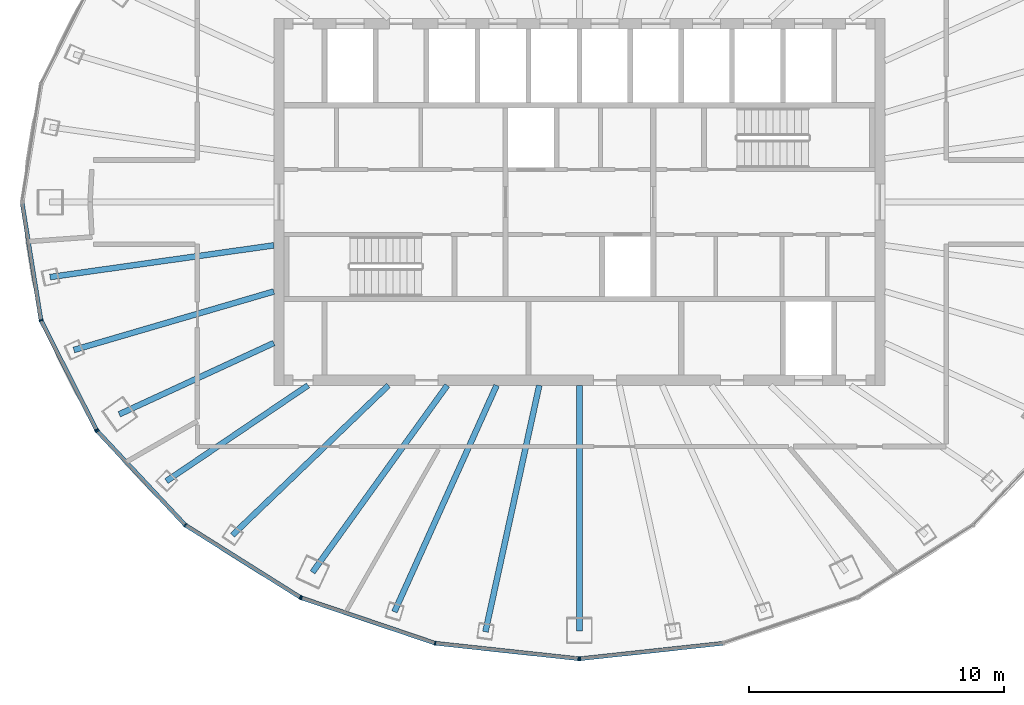
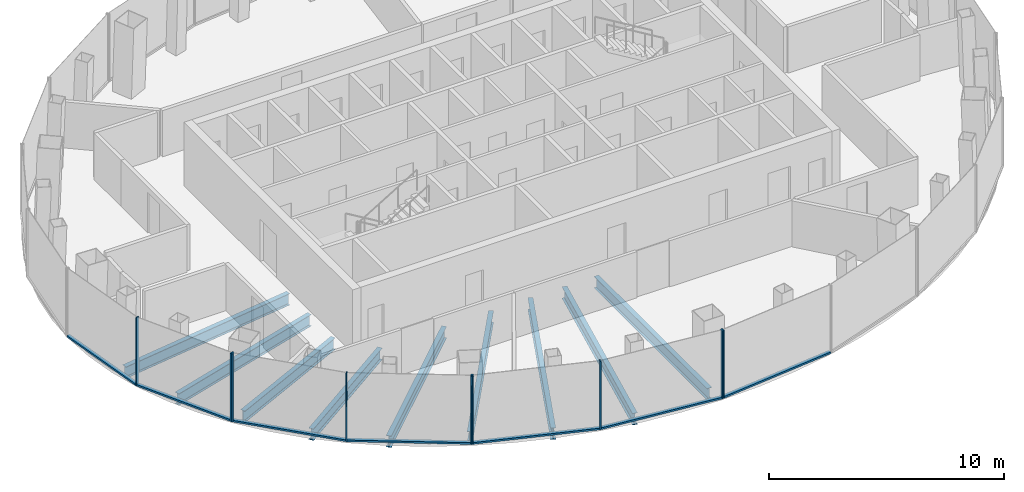
# One storey, part 2 of 11: 16 members, 9 beams, 4 elements without a shape of their own.
"""IFC4 building model written with IfcOpenShell, lengths in metres."""

from ifc_helpers import new_model, si_unit, direction, frame, origin, origin_2d, place, context, subcontext, project, spatial, rectangle, i_section, extrude, material, layer, layer_set, material_profile, profile_set, type_object, element, aggregate, save


model = new_model("IFC4")

# Units and contexts
model_context = context("Model", 3, precision=1e-05, world=origin(), true_north=direction((0.0, 1.0)))
body_context = subcontext(model_context, "Body", "Model", "MODEL_VIEW")
ifc_project = project(units=[si_unit("LENGTHUNIT", "METRE"), si_unit("AREAUNIT", "SQUARE_METRE"), si_unit("VOLUMEUNIT", "CUBIC_METRE"), si_unit("PLANEANGLEUNIT", "RADIAN"), si_unit("MASSUNIT", "GRAM", prefix="KILO")], contexts=[model_context])

# Site, building, storey
site_placement = place(None, origin())
site = spatial("IfcSite", under=ifc_project, at=site_placement, CompositionType="ELEMENT")
building_placement = place(site_placement, origin())
building = spatial("IfcBuilding", under=site, at=building_placement, Name="Siaravel Broadcast Tower", CompositionType="ELEMENT")
storey_placement = place(building_placement, frame((0.0, 0.0, 220.800048828125)))
storey = spatial("IfcBuildingStorey", under=building, at=storey_placement, Name="L53", CompositionType="ELEMENT", Elevation=220.800048828125)

# Beams
ifc_material_1 = material(Name="Steel S355", Category="steel")
ifc_material_profile_1 = material_profile(ifc_material_1, i_section(OverallWidth=0.2275390625, OverallDepth=0.6025390625, WebThickness=0.010498046875, FlangeThickness=0.014892578125, FilletRadius=0.0126953125, at=origin_2d()))
ifc_profile_set_1 = profile_set([ifc_material_profile_1], Name="Steel S355")
beam_type = type_object("IfcBeamType", Name="BM-UB 610x229x101", PredefinedType="BEAM", material=ifc_profile_set_1)
beam_1_placement = place(storey_placement, frame((-20.785400390625, -2.94677734375, -0.451416015625), z_axis=(0.99009807, 0.140377389, 0.0), x_axis=(-0.140377389, 0.99009807, 0.0)))
element("IfcBeam", 1, at=beam_1_placement, inside=storey, type_object=beam_type, Name="Radial beam RB20", PredefinedType="BEAM", context=body_context, shape_type="SweptSolid", body=[
    extrude(i_section(OverallWidth=0.2275390625, OverallDepth=0.6025390625, WebThickness=0.010498046875, FlangeThickness=0.014892578125, FilletRadius=0.0126953125, at=origin_2d()), origin(), (0.0, 0.0, 1.0), 8.873291015625),
])
beam_2_placement = place(storey_placement, frame((-19.848388671875, -5.810546875, -0.451416015625), z_axis=(0.959720327, 0.280957103, 0.0), x_axis=(-0.280957103, 0.959720327, 0.0)))
element("IfcBeam", 2, at=beam_2_placement, inside=storey, type_object=beam_type, Name="Radial beam RB21", PredefinedType="BEAM", context=body_context, shape_type="SweptSolid", body=[
    extrude(i_section(OverallWidth=0.2275390625, OverallDepth=0.6025390625, WebThickness=0.010498046875, FlangeThickness=0.014892578125, FilletRadius=0.0126953125, at=origin_2d()), origin(), (0.0, 0.0, 1.0), 8.177734375),
])
beam_3_placement = place(storey_placement, frame((-18.06689453125, -8.335693359375, -0.451416015625), z_axis=(0.908018196, 0.418930729, 0.0), x_axis=(-0.418930729, 0.908018196, 0.0)))
element("IfcBeam", 3, at=beam_3_placement, inside=storey, type_object=beam_type, Name="Radial beam RB22", PredefinedType="BEAM", context=body_context, shape_type="SweptSolid", body=[
    extrude(i_section(OverallWidth=0.2275390625, OverallDepth=0.6025390625, WebThickness=0.010498046875, FlangeThickness=0.014892578125, FilletRadius=0.0126953125, at=origin_2d()), origin(), (0.0, 0.0, 1.0), 6.681396484375),
])
beam_4_placement = place(storey_placement, frame((-16.2177734375, -10.958251953125, -0.451416015625), z_axis=(0.828587601, 0.559859436, 0.0), x_axis=(-0.559859436, 0.828587601, 0.0)))
element("IfcBeam", 4, at=beam_4_placement, inside=storey, type_object=beam_type, Name="Radial beam RB23", PredefinedType="BEAM", context=body_context, shape_type="SweptSolid", body=[
    extrude(i_section(OverallWidth=0.2275390625, OverallDepth=0.6025390625, WebThickness=0.010498046875, FlangeThickness=0.014892578125, FilletRadius=0.0126953125, at=origin_2d()), origin(), (0.0, 0.0, 1.0), 6.712890625),
])
beam_5_placement = place(storey_placement, frame((-13.6240234375, -13.08251953125, -0.451416015625), z_axis=(0.721291383, 0.69263175, 0.0), x_axis=(-0.69263175, 0.721291383, 0.0)))
element("IfcBeam", 5, at=beam_5_placement, inside=storey, type_object=beam_type, Name="Radial beam RB24", PredefinedType="BEAM", context=body_context, shape_type="SweptSolid", body=[
    extrude(i_section(OverallWidth=0.2275390625, OverallDepth=0.6025390625, WebThickness=0.010498046875, FlangeThickness=0.014892578125, FilletRadius=0.0126953125, at=origin_2d()), origin(), (0.0, 0.0, 1.0), 8.4931640625),
])
beam_6_placement = place(storey_placement, frame((-10.479736328125, -14.541015625, -0.451416015625), z_axis=(0.584665734, 0.811274294, 0.0), x_axis=(-0.811274294, 0.584665734, 0.0)))
element("IfcBeam", 6, at=beam_6_placement, inside=storey, type_object=beam_type, Name="Radial beam RB25", PredefinedType="BEAM", context=body_context, shape_type="SweptSolid", body=[
    extrude(i_section(OverallWidth=0.2275390625, OverallDepth=0.6025390625, WebThickness=0.010498046875, FlangeThickness=0.014892578125, FilletRadius=0.0126953125, at=origin_2d()), origin(), (0.0, 0.0, 1.0), 9.048828125),
])
beam_7_placement = place(storey_placement, frame((-7.26171875, -16.09033203125, -0.451416015625), z_axis=(0.411347958, 0.911478391, 0.0), x_axis=(-0.911478391, 0.411347958, 0.0)))
element("IfcBeam", 7, at=beam_7_placement, inside=storey, type_object=beam_type, Name="Radial beam RB26", PredefinedType="BEAM", context=body_context, shape_type="SweptSolid", body=[
    extrude(i_section(OverallWidth=0.2275390625, OverallDepth=0.6025390625, WebThickness=0.010498046875, FlangeThickness=0.014892578125, FilletRadius=0.0126953125, at=origin_2d()), origin(), (0.0, 0.0, 1.0), 9.75390625),
])
beam_8_placement = place(storey_placement, frame((-3.688720703125, -16.87451171875, -0.451416015625), z_axis=(0.213546154, 0.976932976, 0.0), x_axis=(-0.976932976, 0.213546154, 0.0)))
element("IfcBeam", 8, at=beam_8_placement, inside=storey, type_object=beam_type, Name="Radial beam RB27", PredefinedType="BEAM", context=body_context, shape_type="SweptSolid", body=[
    extrude(i_section(OverallWidth=0.2275390625, OverallDepth=0.6025390625, WebThickness=0.010498046875, FlangeThickness=0.014892578125, FilletRadius=0.0126953125, at=origin_2d()), origin(), (0.0, 0.0, 1.0), 9.903076171875),
])
beam_9_placement = place(storey_placement, frame((0.0, -16.838623046875, -0.451416015625), z_axis=(0.0, 1.0, 0.0), x_axis=(-1.0, 0.0, 0.0)))
element("IfcBeam", 9, at=beam_9_placement, inside=storey, type_object=beam_type, Name="Radial beam RB28", PredefinedType="BEAM", context=body_context, shape_type="SweptSolid", body=[
    extrude(i_section(OverallWidth=0.2275390625, OverallDepth=0.6025390625, WebThickness=0.010498046875, FlangeThickness=0.014892578125, FilletRadius=0.0126953125, at=origin_2d()), origin(), (0.0, 0.0, 1.0), 9.638671875),
])

# Curtain wall, members
ifc_material_2 = material(Name="Aluminium 6063-T6", Category="aluminium")
ifc_layer = layer(ifc_material_2, 0.159912109375)
ifc_layer_set = layer_set([ifc_layer], Name="Aluminium 6063-T6")
curtain_wall_type = type_object("IfcCurtainWallType", Name="Unitised curtain wall, zone 4", PredefinedType="NOTDEFINED", material=ifc_layer_set)
curtain_wall_1_placement = place(storey_placement, origin())
curtain_wall_1 = element("IfcCurtainWall", 10, at=curtain_wall_1_placement, inside=storey, type_object=curtain_wall_type, Name="L53 Unitised curtain wall, zone 4 07", PredefinedType="NOTDEFINED")
ifc_material_profile_2 = material_profile(ifc_material_2, rectangle(XDim=0.159912109375, YDim=0.054931640625, at=origin_2d()))
ifc_profile_set_2 = profile_set([ifc_material_profile_2], Name="Aluminium 6063-T6")
member_type_1 = type_object("IfcMemberType", Name="CW-Z4 mullion", PredefinedType="MULLION", material=ifc_profile_set_2)
member_1_placement = place(storey_placement, frame((-21.1396484375, -4.64501953125, 0.0), z_axis=(0.0, 0.0, 1.0), x_axis=(0.951177504, 0.308644385, 0.0)))
member_1 = element("IfcMember", 11, at=member_1_placement, type_object=member_type_1, Name="CW-Z4 mullion 2", PredefinedType="MULLION", context=body_context, shape_type="SweptSolid", body=[
    extrude(rectangle(XDim=0.159912109375, YDim=0.054931640625, at=origin_2d()), origin(), (0.0, 0.0, 1.0), 3.550048828125),
])
member_2_placement = place(storey_placement, frame((-18.964111328125, -8.947509765625, 0.0), z_axis=(0.0, 0.0, 1.0), x_axis=(0.892392673, 0.451259701, 0.0)))
member_2 = element("IfcMember", 12, at=member_2_placement, type_object=member_type_1, Name="CW-Z4 mullion 3", PredefinedType="MULLION", context=body_context, shape_type="SweptSolid", body=[
    extrude(rectangle(XDim=0.159912109375, YDim=0.054931640625, at=origin_2d()), origin(), (0.0, 0.0, 1.0), 3.550048828125),
])

curtain_wall_2_placement = place(storey_placement, origin())
curtain_wall_2 = element("IfcCurtainWall", 13, at=curtain_wall_2_placement, inside=storey, type_object=curtain_wall_type, Name="L53 Unitised curtain wall, zone 4 08", PredefinedType="NOTDEFINED")
member_3_placement = place(storey_placement, frame((-18.932861328125, -8.991943359375, 0.0), z_axis=(0.0, 0.0, 1.0), x_axis=(0.729806178, 0.68365411, 0.0)))
member_3 = element("IfcMember", 14, at=member_3_placement, type_object=member_type_1, Name="CW-Z4 mullion 1", PredefinedType="MULLION", context=body_context, shape_type="SweptSolid", body=[
    extrude(rectangle(XDim=0.159912109375, YDim=0.054931640625, at=origin_2d()), origin(), (0.0, 0.0, 1.0), 3.550048828125),
])
member_4_placement = place(storey_placement, frame((-15.47216796875, -12.686279296875, 0.0), z_axis=(0.0, 0.0, 1.0), x_axis=(0.636219575, 0.771508038, 0.0)))
member_4 = element("IfcMember", 15, at=member_4_placement, type_object=member_type_1, Name="CW-Z4 mullion 2", PredefinedType="MULLION", context=body_context, shape_type="SweptSolid", body=[
    extrude(rectangle(XDim=0.159912109375, YDim=0.054931640625, at=origin_2d()), origin(), (0.0, 0.0, 1.0), 3.550048828125),
])
member_5_placement = place(storey_placement, frame((-10.962890625, -15.5205078125, 0.0), z_axis=(0.0, 0.0, 1.0), x_axis=(0.53215013, 0.84665001, 0.0)))
member_5 = element("IfcMember", 16, at=member_5_placement, type_object=member_type_1, Name="CW-Z4 mullion 3", PredefinedType="MULLION", context=body_context, shape_type="SweptSolid", body=[
    extrude(rectangle(XDim=0.159912109375, YDim=0.054931640625, at=origin_2d()), origin(), (0.0, 0.0, 1.0), 3.550048828125),
])

curtain_wall_3_placement = place(storey_placement, origin())
curtain_wall_3 = element("IfcCurtainWall", 17, at=curtain_wall_3_placement, inside=storey, type_object=curtain_wall_type, Name="L53 Unitised curtain wall, zone 4 09", PredefinedType="NOTDEFINED")
member_6_placement = place(storey_placement, frame((-10.913330078125, -15.5439453125, 0.0), z_axis=(0.0, 0.0, 1.0), x_axis=(0.321301242, 0.946977039, 0.0)))
member_6 = element("IfcMember", 18, at=member_6_placement, type_object=member_type_1, Name="CW-Z4 mullion 1", PredefinedType="MULLION", context=body_context, shape_type="SweptSolid", body=[
    extrude(rectangle(XDim=0.159912109375, YDim=0.054931640625, at=origin_2d()), origin(), (0.0, 0.0, 1.0), 3.550048828125),
])
member_7_placement = place(storey_placement, frame((-5.662353515625, -17.32568359375, 0.0), z_axis=(0.0, 0.0, 1.0), x_axis=(0.215558493, 0.97649093, 0.0)))
member_7 = element("IfcMember", 19, at=member_7_placement, type_object=member_type_1, Name="CW-Z4 mullion 2", PredefinedType="MULLION", context=body_context, shape_type="SweptSolid", body=[
    extrude(rectangle(XDim=0.159912109375, YDim=0.054931640625, at=origin_2d()), origin(), (0.0, 0.0, 1.0), 3.550048828125),
])
member_8_placement = place(storey_placement, frame((-0.02734375, -17.933349609375, 0.0), z_axis=(0.0, 0.0, 1.0), x_axis=(0.107217705, 0.994235568, 0.0)))
member_8 = element("IfcMember", 20, at=member_8_placement, type_object=member_type_1, Name="CW-Z4 mullion 3", PredefinedType="MULLION", context=body_context, shape_type="SweptSolid", body=[
    extrude(rectangle(XDim=0.159912109375, YDim=0.054931640625, at=origin_2d()), origin(), (0.0, 0.0, 1.0), 3.550048828125),
])

# Curtain wall, member
curtain_wall_4_placement = place(storey_placement, origin())
curtain_wall_4 = element("IfcCurtainWall", 21, at=curtain_wall_4_placement, inside=storey, type_object=curtain_wall_type, Name="L53 Unitised curtain wall, zone 4 10", PredefinedType="NOTDEFINED")
member_9_placement = place(storey_placement, frame((0.02734375, -17.933349609375, 0.0), z_axis=(0.0, 0.0, 1.0), x_axis=(-0.107217705, 0.994235568, 0.0)))
member_9 = element("IfcMember", 22, at=member_9_placement, type_object=member_type_1, Name="CW-Z4 mullion 1", PredefinedType="MULLION", context=body_context, shape_type="SweptSolid", body=[
    extrude(rectangle(XDim=0.159912109375, YDim=0.054931640625, at=origin_2d()), origin(), (0.0, 0.0, 1.0), 3.550048828125),
])

# Member
ifc_material_profile_3 = material_profile(ifc_material_2, rectangle(XDim=0.159912109375, YDim=0.090087890625, at=origin_2d()))
ifc_profile_set_3 = profile_set([ifc_material_profile_3], Name="Aluminium 6063-T6")
member_type_2 = type_object("IfcMemberType", Name="CW-Z4 transom", PredefinedType="USERDEFINED", material=ifc_profile_set_3)
member_10_placement = place(storey_placement, frame((-21.87744140625, -0.05419921875, 0.044921875), z_axis=(0.158674417, -0.987330962, 0.0), x_axis=(0.987330962, 0.158674417, 0.0)))
member_10 = element("IfcMember", 23, at=member_10_placement, type_object=member_type_2, Name="CW-Z4 transom 1", ObjectType="TRANSOM", PredefinedType="USERDEFINED", context=body_context, shape_type="SweptSolid", body=[
    extrude(rectangle(XDim=0.159912109375, YDim=0.090087890625, at=origin_2d()), origin(), (0.0, 0.0, 1.0), 4.6220703125),
])

member_11_placement = place(storey_placement, frame((-21.127197265625, -4.66943359375, 0.044921875), z_axis=(0.451265777, -0.8923896, 0.0), x_axis=(0.8923896, 0.451265777, 0.0)))
member_11 = element("IfcMember", 24, at=member_11_placement, type_object=member_type_2, Name="CW-Z4 transom 2", ObjectType="TRANSOM", PredefinedType="USERDEFINED", context=body_context, shape_type="SweptSolid", body=[
    extrude(rectangle(XDim=0.159912109375, YDim=0.090087890625, at=origin_2d()), origin(), (0.0, 0.0, 1.0), 4.766357421875),
])

aggregate(curtain_wall_1, [member_1, member_2, member_10, member_11])

member_12_placement = place(storey_placement, frame((-18.9140625, -9.01220703125, 0.044921875), z_axis=(0.683691298, -0.72977134, 0.0), x_axis=(0.72977134, 0.683691298, 0.0)))
member_12 = element("IfcMember", 25, at=member_12_placement, type_object=member_type_2, Name="CW-Z4 transom 1", ObjectType="TRANSOM", PredefinedType="USERDEFINED", context=body_context, shape_type="SweptSolid", body=[
    extrude(rectangle(XDim=0.159912109375, YDim=0.090087890625, at=origin_2d()), origin(), (0.0, 0.0, 1.0), 5.0068359375),
])

member_13_placement = place(storey_placement, frame((-15.448974609375, -12.70068359375, 0.044921875), z_axis=(0.846642511, -0.53216206, 0.0), x_axis=(0.53216206, 0.846642511, 0.0)))
member_13 = element("IfcMember", 26, at=member_13_placement, type_object=member_type_2, Name="CW-Z4 transom 2", ObjectType="TRANSOM", PredefinedType="USERDEFINED", context=body_context, shape_type="SweptSolid", body=[
    extrude(rectangle(XDim=0.159912109375, YDim=0.090087890625, at=origin_2d()), origin(), (0.0, 0.0, 1.0), 5.271240234375),
])

aggregate(curtain_wall_2, [member_3, member_4, member_5, member_12, member_13])

member_14_placement = place(storey_placement, frame((-10.887451171875, -15.552978515625, 0.044921875), z_axis=(0.946979908, -0.321292784, 0.0), x_axis=(0.321292784, 0.946979908, 0.0)))
member_14 = element("IfcMember", 27, at=member_14_placement, type_object=member_type_2, Name="CW-Z4 transom 1", ObjectType="TRANSOM", PredefinedType="USERDEFINED", context=body_context, shape_type="SweptSolid", body=[
    extrude(rectangle(XDim=0.159912109375, YDim=0.090087890625, at=origin_2d()), origin(), (0.0, 0.0, 1.0), 5.489990234375),
])

member_15_placement = place(storey_placement, frame((-5.635009765625, -17.32861328125, 0.044921875), z_axis=(0.994235028, -0.107222704, 0.0), x_axis=(0.107222704, 0.994235028, 0.0)))
member_15 = element("IfcMember", 28, at=member_15_placement, type_object=member_type_2, Name="CW-Z4 transom 2", ObjectType="TRANSOM", PredefinedType="USERDEFINED", context=body_context, shape_type="SweptSolid", body=[
    extrude(rectangle(XDim=0.159912109375, YDim=0.090087890625, at=origin_2d()), origin(), (0.0, 0.0, 1.0), 5.61279296875),
])

aggregate(curtain_wall_3, [member_6, member_7, member_8, member_14, member_15])

member_16_placement = place(storey_placement, frame((0.0546875, -17.930419921875, 0.044921875), z_axis=(0.994235028, 0.107222704, 0.0), x_axis=(-0.107222704, 0.994235028, 0.0)))
member_16 = element("IfcMember", 29, at=member_16_placement, type_object=member_type_2, Name="CW-Z4 transom 1", ObjectType="TRANSOM", PredefinedType="USERDEFINED", context=body_context, shape_type="SweptSolid", body=[
    extrude(rectangle(XDim=0.159912109375, YDim=0.090087890625, at=origin_2d()), origin(), (0.0, 0.0, 1.0), 5.61279296875),
])

aggregate(curtain_wall_4, [member_9, member_16])

save(model, "model.ifc")
